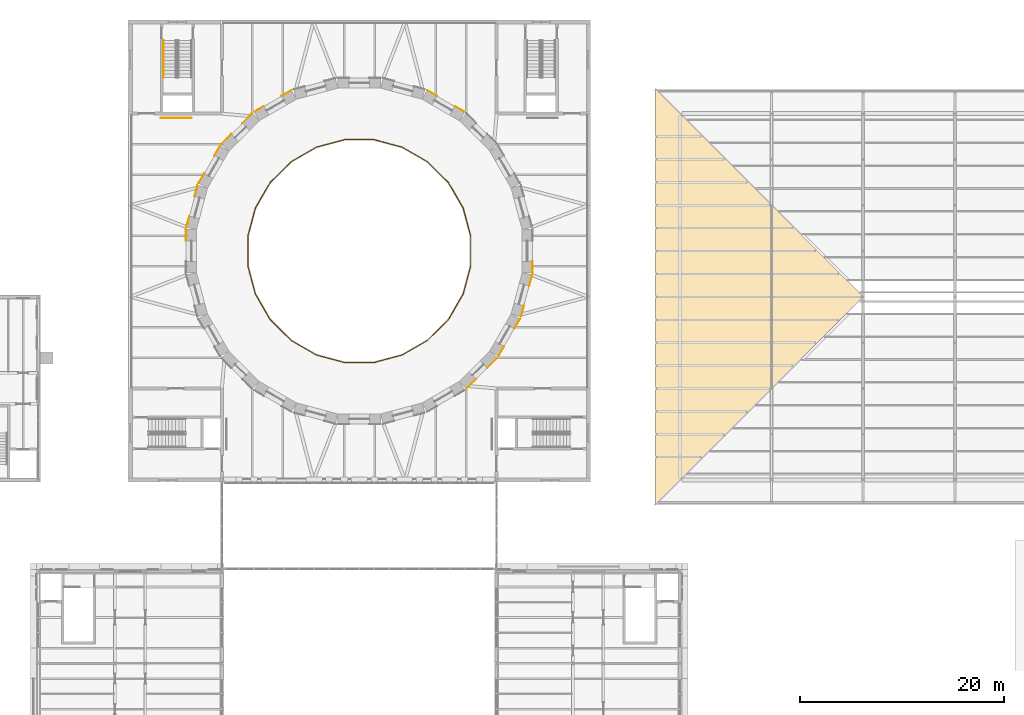
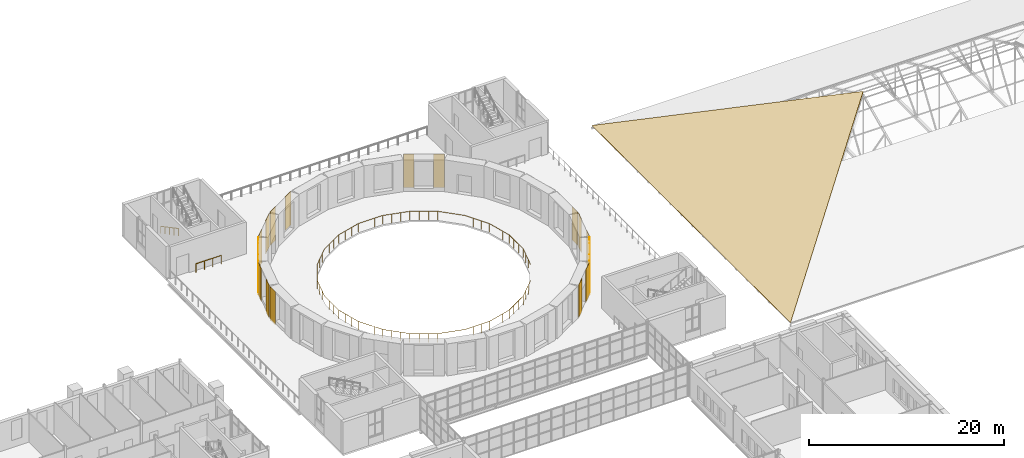
# One storey, part 149 of 154: 19 coverings, 3 railings.
"""IFC4 building model written with IfcOpenShell, lengths in metres."""

import ifcopenshell
import ifcopenshell.guid

model = None  # the IFC model being written
_history = None  # IfcOwnerHistory: only IFC2X3 demands one
_inside = {}  # id of a spatial element -> (the spatial element, [elements in it])
_under = {}  # id of a project, library or spatial element -> (it, [spatial elements below it])
_declared = {}  # id of a project -> (the project, [libraries it declares])
_typed = {}  # id of a type object -> (the type object, [elements of that type])
_made_of = {}  # id of a material, layer set ... -> (it, [elements and type objects made of it])


def new_model(schema):
    """Start an empty IFC model of exactly this schema.

    Asked for "IFC4X3", IfcOpenShell would pick the latest addendum, in which some entities
    have other attributes; the version numbers below select the first issue.
    IFC2X3 requires an IfcOwnerHistory on every rooted entity: one is made here for all.
    """
    global model, _history
    if schema == "IFC4X3":
        model = ifcopenshell.file(schema_version=(4, 3, 0, 0))
    else:
        model = ifcopenshell.file(schema=schema)
    _inside.clear()
    _under.clear()
    _declared.clear()
    _typed.clear()
    _made_of.clear()
    _history = None
    if model.schema == "IFC2X3":
        org = make("IfcOrganization", Name="unknown")
        user = make(
            "IfcPersonAndOrganization",
            ThePerson=make("IfcPerson", FamilyName="unknown"),
            TheOrganization=org,
        )
        app = make(
            "IfcApplication",
            ApplicationDeveloper=org,
            Version="unknown",
            ApplicationFullName="unknown",
            ApplicationIdentifier="unknown",
        )
        _history = make(
            "IfcOwnerHistory",
            OwningUser=user,
            OwningApplication=app,
            ChangeAction="ADDED",
            CreationDate=0,
        )
    return model


def make(cls, **values):
    """One entity of the class cls with the attributes given. An attribute that is None is left unset."""
    return model.create_entity(
        cls, **{name: value for name, value in values.items() if value is not None}
    )


def rooted(cls, **values):
    """An entity with a GlobalId (a new one), such as an element, a storey or a relation."""
    return make(cls, GlobalId=ifcopenshell.guid.new(), OwnerHistory=_history, **values)


def si_unit(unit_type, name, prefix=None):
    """IfcSIUnit, for example si_unit("LENGTHUNIT", "METRE", prefix="MILLI")."""
    return make("IfcSIUnit", UnitType=unit_type, Prefix=prefix, Name=name)


def assignment(units):
    """IfcUnitAssignment: the units of a project."""
    return None if units is None else make("IfcUnitAssignment", Units=units)


def point(xyz):
    """IfcCartesianPoint."""
    return None if xyz is None else make("IfcCartesianPoint", Coordinates=xyz)


def direction(xyz):
    """IfcDirection."""
    return None if xyz is None else make("IfcDirection", DirectionRatios=xyz)


def frame(location, z_axis=None, x_axis=None):
    """IfcAxis2Placement3D, a coordinate frame: its origin and axes. An axis left out is left unset."""
    return make(
        "IfcAxis2Placement3D",
        Location=point(location),
        Axis=direction(z_axis),
        RefDirection=direction(x_axis),
    )


def frame_2d(location, x_axis=None):
    """IfcAxis2Placement2D, a coordinate frame in the plane: its origin and x axis."""
    return make(
        "IfcAxis2Placement2D", Location=point(location), RefDirection=direction(x_axis)
    )


def origin():
    """The frame at (0, 0, 0) with its axes left unset."""
    return frame((0.0, 0.0, 0.0))


def origin_2d():
    """The frame at (0, 0) in the plane with its x axis left unset."""
    return frame_2d((0.0, 0.0))


def place(relative_to, where):
    """IfcLocalPlacement: puts the frame where relative to a parent placement (None: the world)."""
    return make(
        "IfcLocalPlacement", PlacementRelTo=relative_to, RelativePlacement=where
    )


def context(
    kind, dimensions, precision=None, world=None, true_north=None, identifier=None
):
    """IfcGeometricRepresentationContext, for example the 3D "Model" context."""
    return make(
        "IfcGeometricRepresentationContext",
        ContextIdentifier=identifier,
        ContextType=kind,
        CoordinateSpaceDimension=dimensions,
        Precision=precision,
        WorldCoordinateSystem=world,
        TrueNorth=true_north,
    )


def subcontext(parent, identifier, kind, view, scale=None):
    """IfcGeometricRepresentationSubContext, for example "Body" below "Model"."""
    return make(
        "IfcGeometricRepresentationSubContext",
        ContextIdentifier=identifier,
        ContextType=kind,
        ParentContext=parent,
        TargetScale=scale,
        TargetView=view,
    )


def project(units=None, contexts=None):
    """IfcProject with its units and contexts."""
    return rooted(
        "IfcProject",
        Name="project",
        RepresentationContexts=contexts,
        UnitsInContext=assignment(units),
    )


def spatial(cls, under=None, at=None, **own):
    """A site, building, storey or space (cls), placed at a placement, below another one or the project."""
    s = rooted(cls, ObjectPlacement=at, **own)
    if under is not None:
        _under.setdefault(under.id(), (under, []))[1].append(s)
    return s


def polyline(points):
    """IfcPolyline through the points."""
    return make("IfcPolyline", Points=[point(p) for p in points])


def profile(cls, at=None, kind="AREA", **sizes):
    """A parametric profile (cls). Its sizes go by their IFC names, for example OverallWidth=200.0."""
    return make(cls, ProfileType=kind, Position=at, **sizes)


def rectangle(**sizes):
    """IfcRectangleProfileDef."""
    return profile("IfcRectangleProfileDef", **sizes)


def circle(**sizes):
    """IfcCircleProfileDef."""
    return profile("IfcCircleProfileDef", **sizes)


def outline(outer, holes=None, kind="AREA"):
    """IfcArbitraryClosedProfileDef: a profile drawn as a closed curve; with holes, ...WithVoids."""
    if holes is None:
        return make("IfcArbitraryClosedProfileDef", ProfileType=kind, OuterCurve=outer)
    return make(
        "IfcArbitraryProfileDefWithVoids",
        ProfileType=kind,
        OuterCurve=outer,
        InnerCurves=holes,
    )


def extrude(swept, where, along, depth):
    """IfcExtrudedAreaSolid: the profile swept, set in the frame where, extruded along a direction by depth."""
    return make(
        "IfcExtrudedAreaSolid",
        SweptArea=swept,
        Position=where,
        ExtrudedDirection=direction(along),
        Depth=depth,
    )


def shape(context_of_items, identifier, shape_type, items):
    """IfcShapeRepresentation: the items that make up one representation, for example the "Body"."""
    return make(
        "IfcShapeRepresentation",
        ContextOfItems=context_of_items,
        RepresentationIdentifier=identifier,
        RepresentationType=shape_type,
        Items=items,
    )


def material(Name=None, Category=None):
    """IfcMaterial."""
    return make("IfcMaterial", Name=Name, Category=Category)


def layer(
    of_material, thickness, ventilated=None, Name=None, Category=None, Priority=None
):
    """IfcMaterialLayer: one layer of a wall or slab, of a material (None: an air gap)."""
    return make(
        "IfcMaterialLayer",
        Material=of_material,
        LayerThickness=thickness,
        IsVentilated=ventilated,
        Name=Name,
        Category=Category,
        Priority=Priority,
    )


def layer_set(layers, Name=None):
    """IfcMaterialLayerSet."""
    return make("IfcMaterialLayerSet", MaterialLayers=layers, LayerSetName=Name)


def made_of(thing, what):
    """Note that an element or type object is made of a material, layer set ...; save() writes the relation."""
    if what is not None:
        _made_of.setdefault(what.id(), (what, []))[1].append(thing)
    return thing


def type_object(cls, material=None, **own):
    """A type object (cls), such as IfcWallType, which elements share."""
    return made_of(rooted(cls, **own), material)


def element(
    cls,
    number,
    at=None,
    inside=None,
    cuts=None,
    type_object=None,
    material=None,
    context=None,
    identifier="Body",
    shape_type=None,
    held_by="IfcProductDefinitionShape",
    body=None,
    shapes=None,
    **own,
):
    """One element of the class cls, such as IfcWall. Its Tag is "e" and its number.

    at: its placement. inside: the storey or other place that contains it. cuts: it is an
    opening in that element (IfcRelVoidsElement). A single representation is given by context,
    identifier, shape_type and body (its items); several are given by shapes. held_by: the class
    of the entity that holds the representations. save() writes the other relations.
    """
    e = rooted(cls, Tag="e%d" % number, ObjectPlacement=at, **own)
    if body is not None:
        shapes = [shape(context, identifier, shape_type, body)]
    if shapes is not None:
        e.Representation = make(held_by, Representations=shapes)
    if inside is not None:
        _inside.setdefault(inside.id(), (inside, []))[1].append(e)
    if cuts is not None:
        rooted(
            "IfcRelVoidsElement", RelatingBuildingElement=cuts, RelatedOpeningElement=e
        )
    if type_object is not None:
        _typed.setdefault(type_object.id(), (type_object, []))[1].append(e)
    return made_of(e, material)


def aggregate(whole, parts):
    """IfcRelAggregates: a whole, such as a stair, and the parts it consists of."""
    return rooted("IfcRelAggregates", RelatingObject=whole, RelatedObjects=parts)


def save(model, path):
    """Write the relations noted so far, then the file.

    IfcRelAggregates (storeys below a building ...), IfcRelContainedInSpatialStructure (elements
    in a storey), IfcRelDefinesByType, IfcRelAssociatesMaterial and IfcRelDeclares: one each for
    every whole, place, type object, material and project.
    """
    for whole, parts in _under.values():
        aggregate(whole, parts)
    for where, things in _inside.values():
        rooted(
            "IfcRelContainedInSpatialStructure",
            RelatedElements=things,
            RelatingStructure=where,
        )
    for kind, things in _typed.values():
        rooted("IfcRelDefinesByType", RelatedObjects=things, RelatingType=kind)
    for what, things in _made_of.values():
        rooted("IfcRelAssociatesMaterial", RelatedObjects=things, RelatingMaterial=what)
    for by, libraries in _declared.values():
        rooted("IfcRelDeclares", RelatingContext=by, RelatedDefinitions=libraries)
    model.write(path)


model = new_model("IFC4")

# Units and contexts
model_context = context("Model", 3, precision=1e-05, world=origin(), true_north=direction((0.0, 1.0)))
body_context = subcontext(model_context, "Body", "Model", "MODEL_VIEW")
ifc_project = project(units=[si_unit("LENGTHUNIT", "METRE"), si_unit("AREAUNIT", "SQUARE_METRE"), si_unit("VOLUMEUNIT", "CUBIC_METRE"), si_unit("PLANEANGLEUNIT", "RADIAN"), si_unit("MASSUNIT", "GRAM", prefix="KILO")], contexts=[model_context])

# Site, building, storey
site_placement = place(None, origin())
site = spatial("IfcSite", under=ifc_project, at=site_placement, CompositionType="ELEMENT")
building_placement = place(site_placement, origin())
building = spatial("IfcBuilding", under=site, at=building_placement, Name="Golden Quay Civic Hall", CompositionType="ELEMENT")
storey_placement = place(building_placement, frame((0.0, 0.0, 14.39990234375)))
storey = spatial("IfcBuildingStorey", under=building, at=storey_placement, Name="L03", CompositionType="ELEMENT", Elevation=14.39990234375)

# Coverings
ifc_material_1 = material(Name="Ceramic tile")
ifc_layer_1 = layer(ifc_material_1, 0.030029296875)
ifc_layer_set_1 = layer_set([ifc_layer_1], Name="Ceramic tile cladding, green glaze")
covering_type_1 = type_object("IfcCoveringType", Name="Ceramic tile cladding, green glaze", PredefinedType="CLADDING", material=ifc_layer_set_1)
for number, where, z_axis, x_axis, name in (
    (1, (95.3525390625, 99.458740234375, -0.19970703125), (0.0, 0.0, 1.0), (-0.866025403784, 0.5, 0.0), "Drum cladding 4.1"),
    (2, (92.662353515625, 101.011962890625, -0.19970703125), (0.0, 0.0, 1.0), (-0.866025403784, 0.5, 0.0), "Drum cladding 4.2"),
    (3, (78.337646484375, 101.011962890625, -0.19970703125), (0.0, 0.0, 1.0), (-0.866025403784, -0.5, 0.0), "Drum cladding 8.1"),
    (4, (75.6474609375, 99.458740234375, -0.19970703125), (0.0, 0.0, 1.0), (-0.866025403784, -0.5, 0.0), "Drum cladding 8.2"),
):
    element("IfcCovering", number, at=place(storey_placement, frame(where, z_axis=z_axis, x_axis=x_axis)), inside=storey, type_object=covering_type_1, Name=name, PredefinedType="CLADDING", context=body_context, shape_type="SweptSolid", body=[
        extrude(rectangle(XDim=1.1064453125, YDim=0.030029296875, at=origin_2d()), origin(), (0.0, 0.0, 1.0), 4.199951171875),
    ])
for number, where, z_axis, x_axis, name in (
    (5, (74.478515625, 98.541259765625, -0.19970703125), (0.0, 0.0, 1.0), (-0.707106781187, -0.707106781187, 0.0), "Drum cladding 9.1"),
    (6, (72.458740234375, 96.521484375, -0.19970703125), (0.0, 0.0, 1.0), (-0.707106781187, -0.707106781187, 0.0), "Drum cladding 9.2"),
):
    element("IfcCovering", number, at=place(storey_placement, frame(where, z_axis=z_axis, x_axis=x_axis)), inside=storey, type_object=covering_type_1, Name=name, PredefinedType="CLADDING", context=body_context, shape_type="SweptSolid", body=[
        extrude(rectangle(XDim=1.3564453125, YDim=0.030029296875, at=origin_2d()), origin(), (0.0, 0.0, 1.0), 4.199951171875),
    ])
for number, where, z_axis, x_axis, name in (
    (7, (71.541259765625, 95.3525390625, -0.19970703125), (0.0, 0.0, 1.0), (-0.5, -0.866025403784, 0.0), "Drum cladding 10.1"),
    (8, (69.988037109375, 92.662353515625, -0.19970703125), (0.0, 0.0, 1.0), (-0.5, -0.866025403784, 0.0), "Drum cladding 10.2"),
    (9, (69.466796875, 91.404052734375, -0.19970703125), (0.0, 0.0, 1.0), (-0.258819045103, -0.965925826289, 0.0), "Drum cladding 11.1"),
    (10, (68.662841796875, 88.403564453125, -0.19970703125), (0.0, 0.0, 1.0), (-0.258819045103, -0.965925826289, 0.0), "Drum cladding 11.2"),
    (11, (68.485107421875, 87.05322265625, -0.19970703125), (0.0, 0.0, 1.0), (0.0, -1.0, 0.0), "Drum cladding 12.1"),
):
    element("IfcCovering", number, at=place(storey_placement, frame(where, z_axis=z_axis, x_axis=x_axis)), inside=storey, type_object=covering_type_1, Name=name, PredefinedType="CLADDING", context=body_context, shape_type="SweptSolid", body=[
        extrude(rectangle(XDim=1.1064453125, YDim=0.030029296875, at=origin_2d()), origin(), (0.0, 0.0, 1.0), 4.199951171875),
    ])
for number, where, z_axis, x_axis, name in (
    (12, (96.521484375, 72.458740234375, -0.19970703125), (0.0, 0.0, 1.0), (0.707106781187, 0.707106781187, 0.0), "Drum cladding 21.1"),
    (13, (98.541259765625, 74.478515625, -0.19970703125), (0.0, 0.0, 1.0), (0.707106781187, 0.707106781187, 0.0), "Drum cladding 21.2"),
):
    element("IfcCovering", number, at=place(storey_placement, frame(where, z_axis=z_axis, x_axis=x_axis)), inside=storey, type_object=covering_type_1, Name=name, PredefinedType="CLADDING", context=body_context, shape_type="SweptSolid", body=[
        extrude(rectangle(XDim=1.3564453125, YDim=0.030029296875, at=origin_2d()), origin(), (0.0, 0.0, 1.0), 4.199951171875),
    ])
for number, where, z_axis, x_axis, name in (
    (14, (99.458740234375, 75.6474609375, -0.19970703125), (0.0, 0.0, 1.0), (0.5, 0.866025403784, 0.0), "Drum cladding 22.1"),
    (15, (101.011962890625, 78.337646484375, -0.19970703125), (0.0, 0.0, 1.0), (0.5, 0.866025403784, 0.0), "Drum cladding 22.2"),
    (16, (101.533203125, 79.595947265625, -0.19970703125), (0.0, 0.0, 1.0), (0.258819045103, 0.965925826289, 0.0), "Drum cladding 23.1"),
    (17, (102.337158203125, 82.596435546875, -0.19970703125), (0.0, 0.0, 1.0), (0.258819045103, 0.965925826289, 0.0), "Drum cladding 23.2"),
    (18, (102.514892578125, 83.94677734375, -0.19970703125), (0.0, 0.0, 1.0), (0.0, 1.0, 0.0), "Drum cladding 24.1"),
):
    element("IfcCovering", number, at=place(storey_placement, frame(where, z_axis=z_axis, x_axis=x_axis)), inside=storey, type_object=covering_type_1, Name=name, PredefinedType="CLADDING", context=body_context, shape_type="SweptSolid", body=[
        extrude(rectangle(XDim=1.1064453125, YDim=0.030029296875, at=origin_2d()), origin(), (0.0, 0.0, 1.0), 4.199951171875),
    ])
ifc_material_2 = material(Name="Clay roof tile")
ifc_layer_2 = layer(ifc_material_2, 0.06005859375)
ifc_layer_set_2 = layer_set([ifc_layer_2], Name="Clay roof tile 60")
covering_type_2 = type_object("IfcCoveringType", Name="Clay roof tile 60", PredefinedType="ROOFING", material=ifc_layer_set_2)
covering_placement = place(storey_placement, frame((114.60009765625, 60.60009765625, -0.316650390625), z_axis=(-0.422620620003, 0.0, 0.906306687357), x_axis=(0.0, 1.0, 0.0)))
element("IfcCovering", 19, at=covering_placement, inside=storey, type_object=covering_type_2, Name="Roof tiles west", PredefinedType="ROOFING", context=body_context, shape_type="SweptSolid", body=[
    extrude(outline(polyline([(0.0, 0.0), (40.7998046875, 0.0), (20.39990234375, -22.50882910644168), (0.0, 0.0)])), origin(), (0.0, 0.0, -1.0), 0.06005859375),
])

# Railings
ifc_material_3 = material(Name="Steel S355", Category="steel")
railing_type_1 = type_object("IfcRailingType", Name="Steel gallery guard 1100", PredefinedType="GUARDRAIL", material=ifc_material_3)
railing_1_placement = place(storey_placement, frame((96.449951171875, 86.941650390625, 0.0)))
element("IfcRailing", 20, at=railing_1_placement, inside=storey, type_object=railing_type_1, Name="Gallery guard", PredefinedType="GUARDRAIL", context=body_context, shape_type="SweptSolid", body=[
    extrude(circle(Radius=0.02392578125, at=origin_2d()), frame((0.0, 0.0, 1.076171875), z_axis=(-0.258779822893, 0.965936334995, 0.0), x_axis=(-0.965936334995, -0.258779822893, 0.0)), (0.0, 0.0, 1.0), 2.883056640625),
    extrude(circle(Radius=0.02392578125, at=origin_2d()), frame((-0.74609375, 2.784912109375, 1.076171875), z_axis=(-0.500027867319, 0.866009313983, 0.0), x_axis=(-0.866009313983, -0.500027867319, 0.0)), (0.0, 0.0, 1.0), 2.883056640625),
    extrude(circle(Radius=0.02392578125, at=origin_2d()), frame((-2.187744140625, 5.28173828125, 1.076171875), z_axis=(-0.707106781187, 0.707106781187, 0.0), x_axis=(-0.707106781187, -0.707106781187, 0.0)), (0.0, 0.0, 1.0), 2.88330078125),
    extrude(circle(Radius=0.02392578125, at=origin_2d()), frame((-4.2265625, 7.320556640625, 1.076171875), z_axis=(-0.866009313983, 0.500027867319, 0.0), x_axis=(-0.500027867319, -0.866009313983, 0.0)), (0.0, 0.0, 1.0), 2.883056640625),
    extrude(circle(Radius=0.02392578125, at=origin_2d()), frame((-6.723388671875, 8.76220703125, 1.076171875), z_axis=(-0.965936334995, 0.258779822893, 0.0), x_axis=(-0.258779822893, -0.965936334995, 0.0)), (0.0, 0.0, 1.0), 2.883056640625),
    extrude(circle(Radius=0.02392578125, at=origin_2d()), frame((-9.50830078125, 9.50830078125, 1.076171875), z_axis=(-1.0, 0.0, 0.0), x_axis=(0.0, -1.0, 0.0)), (0.0, 0.0, 1.0), 2.88330078125),
    extrude(circle(Radius=0.02392578125, at=origin_2d()), frame((-12.3916015625, 9.50830078125, 1.076171875), z_axis=(-0.965936334995, -0.258779822893, 0.0), x_axis=(0.258779822893, -0.965936334995, 0.0)), (0.0, 0.0, 1.0), 2.883056640625),
    extrude(circle(Radius=0.02392578125, at=origin_2d()), frame((-15.176513671875, 8.76220703125, 1.076171875), z_axis=(-0.866009313983, -0.500027867319, 0.0), x_axis=(0.500027867319, -0.866009313983, 0.0)), (0.0, 0.0, 1.0), 2.883056640625),
    extrude(circle(Radius=0.02392578125, at=origin_2d()), frame((-17.67333984375, 7.320556640625, 1.076171875), z_axis=(-0.707106781187, -0.707106781187, 0.0), x_axis=(0.707106781187, -0.707106781187, 0.0)), (0.0, 0.0, 1.0), 2.88330078125),
    extrude(circle(Radius=0.02392578125, at=origin_2d()), frame((-19.712158203125, 5.28173828125, 1.076171875), z_axis=(-0.500027867319, -0.866009313983, 0.0), x_axis=(0.866009313983, -0.500027867319, 0.0)), (0.0, 0.0, 1.0), 2.883056640625),
    extrude(circle(Radius=0.02392578125, at=origin_2d()), frame((-21.15380859375, 2.784912109375, 1.076171875), z_axis=(-0.258779822893, -0.965936334995, 0.0), x_axis=(0.965936334995, -0.258779822893, 0.0)), (0.0, 0.0, 1.0), 2.883056640625),
    extrude(circle(Radius=0.02392578125, at=origin_2d()), frame((-21.89990234375, 0.0, 1.076171875), z_axis=(0.0, -1.0, 0.0), x_axis=(1.0, 0.0, 0.0)), (0.0, 0.0, 1.0), 2.88330078125),
    extrude(circle(Radius=0.02392578125, at=origin_2d()), frame((-21.89990234375, -2.88330078125, 1.076171875), z_axis=(0.258779822893, -0.965936334995, 0.0), x_axis=(0.965936334995, 0.258779822893, 0.0)), (0.0, 0.0, 1.0), 2.883056640625),
    extrude(circle(Radius=0.02392578125, at=origin_2d()), frame((-21.15380859375, -5.668212890625, 1.076171875), z_axis=(0.500027867319, -0.866009313983, 0.0), x_axis=(0.866009313983, 0.500027867319, 0.0)), (0.0, 0.0, 1.0), 2.883056640625),
    extrude(circle(Radius=0.02392578125, at=origin_2d()), frame((-19.712158203125, -8.1650390625, 1.076171875), z_axis=(0.707106781187, -0.707106781187, 0.0), x_axis=(0.707106781187, 0.707106781187, 0.0)), (0.0, 0.0, 1.0), 2.88330078125),
    extrude(circle(Radius=0.02392578125, at=origin_2d()), frame((-17.67333984375, -10.203857421875, 1.076171875), z_axis=(0.866009313983, -0.500027867319, 0.0), x_axis=(0.500027867319, 0.866009313983, 0.0)), (0.0, 0.0, 1.0), 2.883056640625),
    extrude(circle(Radius=0.02392578125, at=origin_2d()), frame((-15.176513671875, -11.6455078125, 1.076171875), z_axis=(0.965936334995, -0.258779822893, 0.0), x_axis=(0.258779822893, 0.965936334995, 0.0)), (0.0, 0.0, 1.0), 2.883056640625),
    extrude(circle(Radius=0.02392578125, at=origin_2d()), frame((-12.3916015625, -12.3916015625, 1.076171875), z_axis=(1.0, 0.0, 0.0), x_axis=(0.0, 1.0, 0.0)), (0.0, 0.0, 1.0), 2.88330078125),
    extrude(circle(Radius=0.02392578125, at=origin_2d()), frame((-9.50830078125, -12.3916015625, 1.076171875), z_axis=(0.965936334995, 0.258779822893, 0.0), x_axis=(-0.258779822893, 0.965936334995, 0.0)), (0.0, 0.0, 1.0), 2.883056640625),
    extrude(circle(Radius=0.02392578125, at=origin_2d()), frame((-6.723388671875, -11.6455078125, 1.076171875), z_axis=(0.866009313983, 0.500027867319, 0.0), x_axis=(-0.500027867319, 0.866009313983, 0.0)), (0.0, 0.0, 1.0), 2.883056640625),
    extrude(circle(Radius=0.02392578125, at=origin_2d()), frame((-4.2265625, -10.203857421875, 1.076171875), z_axis=(0.707106781187, 0.707106781187, 0.0), x_axis=(-0.707106781187, 0.707106781187, 0.0)), (0.0, 0.0, 1.0), 2.88330078125),
    extrude(circle(Radius=0.02392578125, at=origin_2d()), frame((-2.187744140625, -8.1650390625, 1.076171875), z_axis=(0.500027867319, 0.866009313983, 0.0), x_axis=(-0.866009313983, 0.500027867319, 0.0)), (0.0, 0.0, 1.0), 2.883056640625),
    extrude(circle(Radius=0.02392578125, at=origin_2d()), frame((-0.74609375, -5.668212890625, 1.076171875), z_axis=(0.258779822893, 0.965936334995, 0.0), x_axis=(-0.965936334995, 0.258779822893, 0.0)), (0.0, 0.0, 1.0), 2.883056640625),
    extrude(circle(Radius=0.02392578125, at=origin_2d()), frame((0.0, -2.88330078125, 1.076171875), z_axis=(0.0, 1.0, 0.0), x_axis=(-1.0, 0.0, 0.0)), (0.0, 0.0, 1.0), 2.88330078125),
    extrude(circle(Radius=0.02099609375, at=origin_2d()), origin(), (0.0, 0.0, 1.0), 1.052001953125),
    extrude(circle(Radius=0.02099609375, at=origin_2d()), frame((-0.248779296875, 0.92822265625, 0.0)), (0.0, 0.0, 1.0), 1.052001953125),
    extrude(circle(Radius=0.02099609375, at=origin_2d()), frame((-0.497314453125, 1.856689453125, 0.0)), (0.0, 0.0, 1.0), 1.052001953125),
    extrude(circle(Radius=0.02099609375, at=origin_2d()), frame((-0.74609375, 2.784912109375, 0.0)), (0.0, 0.0, 1.0), 1.052001953125),
    extrude(circle(Radius=0.02099609375, at=origin_2d()), frame((-1.2265625, 3.6171875, 0.0)), (0.0, 0.0, 1.0), 1.052001953125),
    extrude(circle(Radius=0.02099609375, at=origin_2d()), frame((-1.707275390625, 4.449462890625, 0.0)), (0.0, 0.0, 1.0), 1.052001953125),
    extrude(circle(Radius=0.02099609375, at=origin_2d()), frame((-2.187744140625, 5.28173828125, 0.0)), (0.0, 0.0, 1.0), 1.052001953125),
    extrude(circle(Radius=0.02099609375, at=origin_2d()), frame((-2.867431640625, 5.96142578125, 0.0)), (0.0, 0.0, 1.0), 1.052001953125),
    extrude(circle(Radius=0.02099609375, at=origin_2d()), frame((-3.546875, 6.640869140625, 0.0)), (0.0, 0.0, 1.0), 1.052001953125),
    extrude(circle(Radius=0.02099609375, at=origin_2d()), frame((-4.2265625, 7.320556640625, 0.0)), (0.0, 0.0, 1.0), 1.052001953125),
    extrude(circle(Radius=0.02099609375, at=origin_2d()), frame((-5.058837890625, 7.801025390625, 0.0)), (0.0, 0.0, 1.0), 1.052001953125),
    extrude(circle(Radius=0.02099609375, at=origin_2d()), frame((-5.89111328125, 8.28173828125, 0.0)), (0.0, 0.0, 1.0), 1.052001953125),
    extrude(circle(Radius=0.02099609375, at=origin_2d()), frame((-6.723388671875, 8.76220703125, 0.0)), (0.0, 0.0, 1.0), 1.052001953125),
    extrude(circle(Radius=0.02099609375, at=origin_2d()), frame((-7.651611328125, 9.010986328125, 0.0)), (0.0, 0.0, 1.0), 1.052001953125),
    extrude(circle(Radius=0.02099609375, at=origin_2d()), frame((-8.580078125, 9.259521484375, 0.0)), (0.0, 0.0, 1.0), 1.052001953125),
    extrude(circle(Radius=0.02099609375, at=origin_2d()), frame((-9.50830078125, 9.50830078125, 0.0)), (0.0, 0.0, 1.0), 1.052001953125),
    extrude(circle(Radius=0.02099609375, at=origin_2d()), frame((-10.469482421875, 9.50830078125, 0.0)), (0.0, 0.0, 1.0), 1.052001953125),
    extrude(circle(Radius=0.02099609375, at=origin_2d()), frame((-11.430419921875, 9.50830078125, 0.0)), (0.0, 0.0, 1.0), 1.052001953125),
    extrude(circle(Radius=0.02099609375, at=origin_2d()), frame((-12.3916015625, 9.50830078125, 0.0)), (0.0, 0.0, 1.0), 1.052001953125),
    extrude(circle(Radius=0.02099609375, at=origin_2d()), frame((-13.31982421875, 9.259521484375, 0.0)), (0.0, 0.0, 1.0), 1.052001953125),
    extrude(circle(Radius=0.02099609375, at=origin_2d()), frame((-14.248291015625, 9.010986328125, 0.0)), (0.0, 0.0, 1.0), 1.052001953125),
    extrude(circle(Radius=0.02099609375, at=origin_2d()), frame((-15.176513671875, 8.76220703125, 0.0)), (0.0, 0.0, 1.0), 1.052001953125),
    extrude(circle(Radius=0.02099609375, at=origin_2d()), frame((-16.0087890625, 8.28173828125, 0.0)), (0.0, 0.0, 1.0), 1.052001953125),
    extrude(circle(Radius=0.02099609375, at=origin_2d()), frame((-16.841064453125, 7.801025390625, 0.0)), (0.0, 0.0, 1.0), 1.052001953125),
    extrude(circle(Radius=0.02099609375, at=origin_2d()), frame((-17.67333984375, 7.320556640625, 0.0)), (0.0, 0.0, 1.0), 1.052001953125),
    extrude(circle(Radius=0.02099609375, at=origin_2d()), frame((-18.35302734375, 6.640869140625, 0.0)), (0.0, 0.0, 1.0), 1.052001953125),
    extrude(circle(Radius=0.02099609375, at=origin_2d()), frame((-19.032470703125, 5.96142578125, 0.0)), (0.0, 0.0, 1.0), 1.052001953125),
    extrude(circle(Radius=0.02099609375, at=origin_2d()), frame((-19.712158203125, 5.28173828125, 0.0)), (0.0, 0.0, 1.0), 1.052001953125),
    extrude(circle(Radius=0.02099609375, at=origin_2d()), frame((-20.192626953125, 4.449462890625, 0.0)), (0.0, 0.0, 1.0), 1.052001953125),
    extrude(circle(Radius=0.02099609375, at=origin_2d()), frame((-20.67333984375, 3.6171875, 0.0)), (0.0, 0.0, 1.0), 1.052001953125),
    extrude(circle(Radius=0.02099609375, at=origin_2d()), frame((-21.15380859375, 2.784912109375, 0.0)), (0.0, 0.0, 1.0), 1.052001953125),
    extrude(circle(Radius=0.02099609375, at=origin_2d()), frame((-21.402587890625, 1.856689453125, 0.0)), (0.0, 0.0, 1.0), 1.052001953125),
    extrude(circle(Radius=0.02099609375, at=origin_2d()), frame((-21.651123046875, 0.92822265625, 0.0)), (0.0, 0.0, 1.0), 1.052001953125),
    extrude(circle(Radius=0.02099609375, at=origin_2d()), frame((-21.89990234375, 0.0, 0.0)), (0.0, 0.0, 1.0), 1.052001953125),
    extrude(circle(Radius=0.02099609375, at=origin_2d()), frame((-21.89990234375, -0.961181640625, 0.0)), (0.0, 0.0, 1.0), 1.052001953125),
    extrude(circle(Radius=0.02099609375, at=origin_2d()), frame((-21.89990234375, -1.922119140625, 0.0)), (0.0, 0.0, 1.0), 1.052001953125),
    extrude(circle(Radius=0.02099609375, at=origin_2d()), frame((-21.89990234375, -2.88330078125, 0.0)), (0.0, 0.0, 1.0), 1.052001953125),
    extrude(circle(Radius=0.02099609375, at=origin_2d()), frame((-21.651123046875, -3.8115234375, 0.0)), (0.0, 0.0, 1.0), 1.052001953125),
    extrude(circle(Radius=0.02099609375, at=origin_2d()), frame((-21.402587890625, -4.739990234375, 0.0)), (0.0, 0.0, 1.0), 1.052001953125),
    extrude(circle(Radius=0.02099609375, at=origin_2d()), frame((-21.15380859375, -5.668212890625, 0.0)), (0.0, 0.0, 1.0), 1.052001953125),
    extrude(circle(Radius=0.02099609375, at=origin_2d()), frame((-20.67333984375, -6.50048828125, 0.0)), (0.0, 0.0, 1.0), 1.052001953125),
    extrude(circle(Radius=0.02099609375, at=origin_2d()), frame((-20.192626953125, -7.332763671875, 0.0)), (0.0, 0.0, 1.0), 1.052001953125),
    extrude(circle(Radius=0.02099609375, at=origin_2d()), frame((-19.712158203125, -8.1650390625, 0.0)), (0.0, 0.0, 1.0), 1.052001953125),
    extrude(circle(Radius=0.02099609375, at=origin_2d()), frame((-19.032470703125, -8.8447265625, 0.0)), (0.0, 0.0, 1.0), 1.052001953125),
    extrude(circle(Radius=0.02099609375, at=origin_2d()), frame((-18.35302734375, -9.524169921875, 0.0)), (0.0, 0.0, 1.0), 1.052001953125),
    extrude(circle(Radius=0.02099609375, at=origin_2d()), frame((-17.67333984375, -10.203857421875, 0.0)), (0.0, 0.0, 1.0), 1.052001953125),
    extrude(circle(Radius=0.02099609375, at=origin_2d()), frame((-16.841064453125, -10.684326171875, 0.0)), (0.0, 0.0, 1.0), 1.052001953125),
    extrude(circle(Radius=0.02099609375, at=origin_2d()), frame((-16.0087890625, -11.1650390625, 0.0)), (0.0, 0.0, 1.0), 1.052001953125),
    extrude(circle(Radius=0.02099609375, at=origin_2d()), frame((-15.176513671875, -11.6455078125, 0.0)), (0.0, 0.0, 1.0), 1.052001953125),
    extrude(circle(Radius=0.02099609375, at=origin_2d()), frame((-14.248291015625, -11.894287109375, 0.0)), (0.0, 0.0, 1.0), 1.052001953125),
    extrude(circle(Radius=0.02099609375, at=origin_2d()), frame((-13.31982421875, -12.142822265625, 0.0)), (0.0, 0.0, 1.0), 1.052001953125),
    extrude(circle(Radius=0.02099609375, at=origin_2d()), frame((-12.3916015625, -12.3916015625, 0.0)), (0.0, 0.0, 1.0), 1.052001953125),
    extrude(circle(Radius=0.02099609375, at=origin_2d()), frame((-11.430419921875, -12.3916015625, 0.0)), (0.0, 0.0, 1.0), 1.052001953125),
    extrude(circle(Radius=0.02099609375, at=origin_2d()), frame((-10.469482421875, -12.3916015625, 0.0)), (0.0, 0.0, 1.0), 1.052001953125),
    extrude(circle(Radius=0.02099609375, at=origin_2d()), frame((-9.50830078125, -12.3916015625, 0.0)), (0.0, 0.0, 1.0), 1.052001953125),
    extrude(circle(Radius=0.02099609375, at=origin_2d()), frame((-8.580078125, -12.142822265625, 0.0)), (0.0, 0.0, 1.0), 1.052001953125),
    extrude(circle(Radius=0.02099609375, at=origin_2d()), frame((-7.651611328125, -11.894287109375, 0.0)), (0.0, 0.0, 1.0), 1.052001953125),
    extrude(circle(Radius=0.02099609375, at=origin_2d()), frame((-6.723388671875, -11.6455078125, 0.0)), (0.0, 0.0, 1.0), 1.052001953125),
    extrude(circle(Radius=0.02099609375, at=origin_2d()), frame((-5.89111328125, -11.1650390625, 0.0)), (0.0, 0.0, 1.0), 1.052001953125),
    extrude(circle(Radius=0.02099609375, at=origin_2d()), frame((-5.058837890625, -10.684326171875, 0.0)), (0.0, 0.0, 1.0), 1.052001953125),
    extrude(circle(Radius=0.02099609375, at=origin_2d()), frame((-4.2265625, -10.203857421875, 0.0)), (0.0, 0.0, 1.0), 1.052001953125),
    extrude(circle(Radius=0.02099609375, at=origin_2d()), frame((-3.546875, -9.524169921875, 0.0)), (0.0, 0.0, 1.0), 1.052001953125),
    extrude(circle(Radius=0.02099609375, at=origin_2d()), frame((-2.867431640625, -8.8447265625, 0.0)), (0.0, 0.0, 1.0), 1.052001953125),
    extrude(circle(Radius=0.02099609375, at=origin_2d()), frame((-2.187744140625, -8.1650390625, 0.0)), (0.0, 0.0, 1.0), 1.052001953125),
    extrude(circle(Radius=0.02099609375, at=origin_2d()), frame((-1.707275390625, -7.332763671875, 0.0)), (0.0, 0.0, 1.0), 1.052001953125),
    extrude(circle(Radius=0.02099609375, at=origin_2d()), frame((-1.2265625, -6.50048828125, 0.0)), (0.0, 0.0, 1.0), 1.052001953125),
    extrude(circle(Radius=0.02099609375, at=origin_2d()), frame((-0.74609375, -5.668212890625, 0.0)), (0.0, 0.0, 1.0), 1.052001953125),
    extrude(circle(Radius=0.02099609375, at=origin_2d()), frame((-0.497314453125, -4.739990234375, 0.0)), (0.0, 0.0, 1.0), 1.052001953125),
    extrude(circle(Radius=0.02099609375, at=origin_2d()), frame((-0.248779296875, -3.8115234375, 0.0)), (0.0, 0.0, 1.0), 1.052001953125),
    extrude(circle(Radius=0.02099609375, at=origin_2d()), frame((0.0, -2.88330078125, 0.0)), (0.0, 0.0, 1.0), 1.052001953125),
    extrude(circle(Radius=0.02099609375, at=origin_2d()), frame((0.0, -1.922119140625, 0.0)), (0.0, 0.0, 1.0), 1.052001953125),
    extrude(circle(Radius=0.02099609375, at=origin_2d()), frame((0.0, -0.961181640625, 0.0)), (0.0, 0.0, 1.0), 1.052001953125),
])
ifc_material_4 = material(Name="Steel S355", Category="steel")
railing_type_2 = type_object("IfcRailingType", Name="Steel guard 1100 terrace", PredefinedType="GUARDRAIL", material=ifc_material_4)
railing_2_placement = place(storey_placement, frame((66.0, 98.550048828125, 0.0)))
element("IfcRailing", 21, at=railing_2_placement, inside=storey, type_object=railing_type_2, Name="Pocket guard NW", PredefinedType="GUARDRAIL", context=body_context, shape_type="SweptSolid", body=[
    extrude(circle(Radius=0.02392578125, at=origin_2d()), frame((0.0, 0.0, 1.076171875), z_axis=(1.0, 0.0, 0.0), x_axis=(0.0, 1.0, 0.0)), (0.0, 0.0, 1.0), 3.0),
    extrude(circle(Radius=0.02099609375, at=origin_2d()), origin(), (0.0, 0.0, 1.0), 1.052001953125),
    extrude(circle(Radius=0.02099609375, at=origin_2d()), frame((1.0, 0.0, 0.0)), (0.0, 0.0, 1.0), 1.052001953125),
    extrude(circle(Radius=0.02099609375, at=origin_2d()), frame((2.0, 0.0, 0.0)), (0.0, 0.0, 1.0), 1.052001953125),
    extrude(circle(Radius=0.02099609375, at=origin_2d()), frame((3.0, 0.0, 0.0)), (0.0, 0.0, 1.0), 1.052001953125),
])
ifc_material_5 = material(Name="Steel S355", Category="steel")
railing_type_3 = type_object("IfcRailingType", Name="Steel handrail 900", PredefinedType="HANDRAIL", material=ifc_material_5)
railing_3_placement = place(storey_placement, frame((66.25, 106.199951171875, 0.175048828125)))
element("IfcRailing", 22, at=railing_3_placement, inside=storey, type_object=railing_type_3, Name="L03 CB-NW stair handrail 1", PredefinedType="HANDRAIL", context=body_context, shape_type="SweptSolid", body=[
    extrude(circle(Radius=0.02392578125, at=origin_2d()), frame((0.0, 0.0, 0.8759765625), z_axis=(0.0, -0.883450922709, 0.468523710355), x_axis=(1.0, 0.0, 0.0)), (0.0, 0.0, 1.0), 4.108642578125),
    extrude(circle(Radius=0.02099609375, at=origin_2d()), origin(), (0.0, 0.0, 1.0), 0.851806640625),
    extrude(circle(Radius=0.02099609375, at=origin_2d()), frame((0.0, -0.907470703125, 0.481201171875)), (0.0, 0.0, 1.0), 0.851806640625),
    extrude(circle(Radius=0.02099609375, at=origin_2d()), frame((0.0, -1.81494140625, 0.96240234375)), (0.0, 0.0, 1.0), 0.851806640625),
    extrude(circle(Radius=0.02099609375, at=origin_2d()), frame((0.0, -2.722412109375, 1.44384765625)), (0.0, 0.0, 1.0), 0.851806640625),
    extrude(circle(Radius=0.02099609375, at=origin_2d()), frame((0.0, -3.6298828125, 1.925048828125)), (0.0, 0.0, 1.0), 0.851806640625),
])

save(model, "model.ifc")
